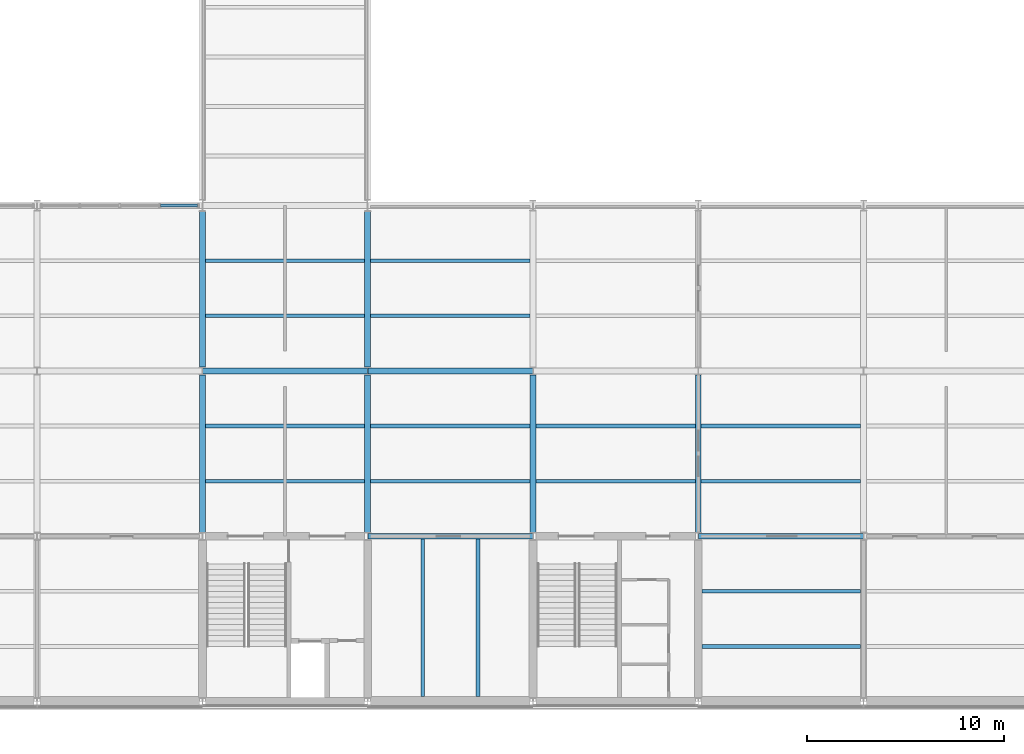
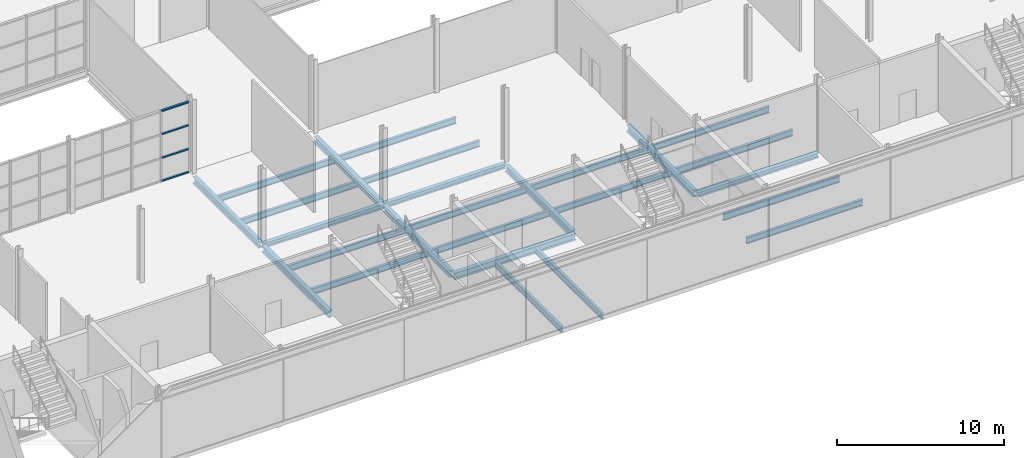
# One storey, part 11 of 57: 26 beams, 4 members, 1 element without a shape of its own.
"""IFC4 building model written with IfcOpenShell, lengths in metres."""

from ifc_helpers import new_model, si_unit, direction, frame, origin, origin_2d, place, context, subcontext, project, spatial, hollow_rectangle, i_section, extrude, material, layer, layer_set, material_profile, profile_set, type_object, element, aggregate, save


model = new_model("IFC4")

# Units and contexts
model_context = context("Model", 3, precision=1e-05, world=origin(), true_north=direction((0.0, 1.0)))
body_context = subcontext(model_context, "Body", "Model", "MODEL_VIEW")
ifc_project = project(units=[si_unit("LENGTHUNIT", "METRE"), si_unit("AREAUNIT", "SQUARE_METRE"), si_unit("VOLUMEUNIT", "CUBIC_METRE"), si_unit("PLANEANGLEUNIT", "RADIAN"), si_unit("MASSUNIT", "GRAM", prefix="KILO")], contexts=[model_context])

# Site, building, storey
site_placement = place(None, origin())
site = spatial("IfcSite", under=ifc_project, at=site_placement, CompositionType="ELEMENT")
building_placement = place(site_placement, origin())
building = spatial("IfcBuilding", under=site, at=building_placement, Name="Galleria Vessillo Department Store", CompositionType="ELEMENT")
storey_placement = place(building_placement, frame((0.0, 0.0, 25.800048828125)))
storey = spatial("IfcBuildingStorey", under=building, at=storey_placement, Name="L05", CompositionType="ELEMENT", Elevation=25.800048828125)

# Beams
ifc_material_1 = material(Name="Steel S355 J2", Category="steel")
ifc_material_profile_1 = material_profile(ifc_material_1, i_section(OverallWidth=0.300048828125, OverallDepth=0.489990234375, WebThickness=0.011962890625, FlangeThickness=0.02294921875, FilletRadius=0.027099609375, at=origin_2d()), Name="HEA 500")
ifc_profile_set_1 = profile_set([ifc_material_profile_1], Name="Steel S355 J2")
beam_type_1 = type_object("IfcBeamType", Name="Floor girder HEA 500", PredefinedType="BEAM", material=ifc_profile_set_1)
beam_1_placement = place(storey_placement, frame((42.0068359375, 8.39990234375, -0.39501953125), z_axis=(1.0, 0.0, 0.0), x_axis=(0.0, 1.0, 0.0)))
element("IfcBeam", 1, at=beam_1_placement, inside=storey, type_object=beam_type_1, Name="S-BM-L05-GI-x8400-42007", PredefinedType="BEAM", context=body_context, shape_type="SweptSolid", body=[
    extrude(i_section(OverallWidth=0.300048828125, OverallDepth=0.489990234375, WebThickness=0.011962890625, FlangeThickness=0.02294921875, FilletRadius=0.027099609375, at=origin_2d()), origin(), (0.0, 0.0, 1.0), 8.38623046875),
])
beam_2_placement = place(storey_placement, frame((33.60009765625, 8.60009765625, -0.39501953125), z_axis=(0.0, 1.0, 0.0), x_axis=(-1.0, 0.0, 0.0)))
element("IfcBeam", 2, at=beam_2_placement, inside=storey, type_object=beam_type_1, Name="S-BM-L05-GI-y33600-8600", PredefinedType="BEAM", context=body_context, shape_type="SweptSolid", body=[
    extrude(i_section(OverallWidth=0.300048828125, OverallDepth=0.489990234375, WebThickness=0.011962890625, FlangeThickness=0.02294921875, FilletRadius=0.027099609375, at=origin_2d()), origin(), (0.0, 0.0, 1.0), 7.999755859375),
])
beam_3_placement = place(storey_placement, frame((33.60009765625, 17.000244140625, -0.39501953125), z_axis=(0.0, 1.0, 0.0), x_axis=(-1.0, 0.0, 0.0)))
element("IfcBeam", 3, at=beam_3_placement, inside=storey, type_object=beam_type_1, Name="S-BM-L05-GI-y33600-17000", PredefinedType="BEAM", context=body_context, shape_type="SweptSolid", body=[
    extrude(i_section(OverallWidth=0.300048828125, OverallDepth=0.489990234375, WebThickness=0.011962890625, FlangeThickness=0.02294921875, FilletRadius=0.027099609375, at=origin_2d()), origin(), (0.0, 0.0, 1.0), 7.8896484375),
])
beam_4_placement = place(storey_placement, frame((42.0, 8.60009765625, -0.39501953125), z_axis=(0.0, 1.0, 0.0), x_axis=(-1.0, 0.0, 0.0)))
element("IfcBeam", 4, at=beam_4_placement, inside=storey, type_object=beam_type_1, Name="S-BM-L05-GI-y42000-8600", PredefinedType="BEAM", context=body_context, shape_type="SweptSolid", body=[
    extrude(i_section(OverallWidth=0.300048828125, OverallDepth=0.489990234375, WebThickness=0.011962890625, FlangeThickness=0.02294921875, FilletRadius=0.027099609375, at=origin_2d()), origin(), (0.0, 0.0, 1.0), 7.999755859375),
])
beam_5_placement = place(storey_placement, frame((42.0, 17.000244140625, -0.39501953125), z_axis=(0.0, 1.0, 0.0), x_axis=(-1.0, 0.0, 0.0)))
element("IfcBeam", 5, at=beam_5_placement, inside=storey, type_object=beam_type_1, Name="S-BM-L05-GI-y42000-17000", PredefinedType="BEAM", context=body_context, shape_type="SweptSolid", body=[
    extrude(i_section(OverallWidth=0.300048828125, OverallDepth=0.489990234375, WebThickness=0.011962890625, FlangeThickness=0.02294921875, FilletRadius=0.027099609375, at=origin_2d()), origin(), (0.0, 0.0, 1.0), 7.8896484375),
])
for number, where, z_axis, x_axis, name in (
    (6, (50.39990234375, 8.60009765625, -0.39501953125), (0.0, 1.0, 0.0), (-1.0, 0.0, 0.0), "S-BM-L05-GI-y50400-8600"),
    (7, (58.800048828125, 8.60009765625, -0.39501953125), (0.0, 1.0, 0.0), (-1.0, 0.0, 0.0), "S-BM-L05-GI-y58800-8600"),
):
    element("IfcBeam", number, at=place(storey_placement, frame(where, z_axis=z_axis, x_axis=x_axis)), inside=storey, type_object=beam_type_1, Name=name, PredefinedType="BEAM", context=body_context, shape_type="SweptSolid", body=[
        extrude(i_section(OverallWidth=0.300048828125, OverallDepth=0.489990234375, WebThickness=0.011962890625, FlangeThickness=0.02294921875, FilletRadius=0.027099609375, at=origin_2d()), origin(), (0.0, 0.0, 1.0), 7.999755859375),
    ])
ifc_material_2 = material(Name="Steel S355 J2", Category="steel")
ifc_material_profile_2 = material_profile(ifc_material_2, i_section(OverallWidth=0.18994140625, OverallDepth=0.449951171875, WebThickness=0.009521484375, FlangeThickness=0.0146484375, FilletRadius=0.02099609375, at=origin_2d()), Name="IPE 450")
ifc_profile_set_2 = profile_set([ifc_material_profile_2], Name="Steel S355 J2")
beam_type_2 = type_object("IfcBeamType", Name="Floor joist IPE 450", PredefinedType="JOIST", material=ifc_profile_set_2)
for number, where, z_axis, x_axis, name in (
    (8, (33.750244140625, 11.199951171875, -0.375), (1.0, 0.0, 0.0), (0.0, 1.0, 0.0), "S-BM-L05-JO-x11200-33750"),
    (9, (33.750244140625, 14.0, -0.375), (1.0, 0.0, 0.0), (0.0, 1.0, 0.0), "S-BM-L05-JO-x14000-33750"),
    (10, (33.750244140625, 19.60009765625, -0.375), (1.0, 0.0, 0.0), (0.0, 1.0, 0.0), "S-BM-L05-JO-x19600-33750"),
    (11, (33.750244140625, 22.39990234375, -0.375), (1.0, 0.0, 0.0), (0.0, 1.0, 0.0), "S-BM-L05-JO-x22400-33750"),
):
    element("IfcBeam", number, at=place(storey_placement, frame(where, z_axis=z_axis, x_axis=x_axis)), inside=storey, type_object=beam_type_2, Name=name, PredefinedType="JOIST", context=body_context, shape_type="SweptSolid", body=[
        extrude(i_section(OverallWidth=0.18994140625, OverallDepth=0.449951171875, WebThickness=0.009521484375, FlangeThickness=0.0146484375, FilletRadius=0.02099609375, at=origin_2d()), origin(), (0.0, 0.0, 1.0), 8.099609375),
    ])
for number, where, z_axis, x_axis, name in (
    (12, (44.800048828125, 0.250244140625, -0.375), (0.0, 1.0, 0.0), (-1.0, 0.0, 0.0), "S-BM-L05-JO-y44800-250"),
    (13, (47.60009765625, 0.250244140625, -0.375), (0.0, 1.0, 0.0), (-1.0, 0.0, 0.0), "S-BM-L05-JO-y47600-250"),
):
    element("IfcBeam", number, at=place(storey_placement, frame(where, z_axis=z_axis, x_axis=x_axis)), inside=storey, type_object=beam_type_2, Name=name, PredefinedType="JOIST", context=body_context, shape_type="SweptSolid", body=[
        extrude(i_section(OverallWidth=0.18994140625, OverallDepth=0.449951171875, WebThickness=0.009521484375, FlangeThickness=0.0146484375, FilletRadius=0.02099609375, at=origin_2d()), origin(), (0.0, 0.0, 1.0), 7.99951171875),
    ])
for number, where, z_axis, x_axis, name in (
    (14, (42.150146484375, 11.199951171875, -0.375), (1.0, 0.0, 0.0), (0.0, 1.0, 0.0), "S-BM-L05-JO-x11200-42150"),
    (15, (42.150146484375, 14.0, -0.375), (1.0, 0.0, 0.0), (0.0, 1.0, 0.0), "S-BM-L05-JO-x14000-42150"),
    (16, (42.150146484375, 19.60009765625, -0.375), (1.0, 0.0, 0.0), (0.0, 1.0, 0.0), "S-BM-L05-JO-x19600-42150"),
    (17, (42.150146484375, 22.39990234375, -0.375), (1.0, 0.0, 0.0), (0.0, 1.0, 0.0), "S-BM-L05-JO-x22400-42150"),
):
    element("IfcBeam", number, at=place(storey_placement, frame(where, z_axis=z_axis, x_axis=x_axis)), inside=storey, type_object=beam_type_2, Name=name, PredefinedType="JOIST", context=body_context, shape_type="SweptSolid", body=[
        extrude(i_section(OverallWidth=0.18994140625, OverallDepth=0.449951171875, WebThickness=0.009521484375, FlangeThickness=0.0146484375, FilletRadius=0.02099609375, at=origin_2d()), origin(), (0.0, 0.0, 1.0), 8.099609375),
    ])
for number, where, z_axis, x_axis, name in (
    (18, (50.550048828125, 11.199951171875, -0.375), (1.0, 0.0, 0.0), (0.0, 1.0, 0.0), "S-BM-L05-JO-x11200-50550"),
    (19, (50.550048828125, 14.0, -0.375), (1.0, 0.0, 0.0), (0.0, 1.0, 0.0), "S-BM-L05-JO-x14000-50550"),
):
    element("IfcBeam", number, at=place(storey_placement, frame(where, z_axis=z_axis, x_axis=x_axis)), inside=storey, type_object=beam_type_2, Name=name, PredefinedType="JOIST", context=body_context, shape_type="SweptSolid", body=[
        extrude(i_section(OverallWidth=0.18994140625, OverallDepth=0.449951171875, WebThickness=0.009521484375, FlangeThickness=0.0146484375, FilletRadius=0.02099609375, at=origin_2d()), origin(), (0.0, 0.0, 1.0), 8.099853515625),
    ])
for number, where, z_axis, x_axis, name in (
    (20, (59.000244140625, 2.800048828125, -0.375), (1.0, 0.0, 0.0), (0.0, 1.0, 0.0), "S-BM-L05-JO-x2800-59000"),
    (21, (59.000244140625, 5.60009765625, -0.375), (1.0, 0.0, 0.0), (0.0, 1.0, 0.0), "S-BM-L05-JO-x5600-59000"),
):
    element("IfcBeam", number, at=place(storey_placement, frame(where, z_axis=z_axis, x_axis=x_axis)), inside=storey, type_object=beam_type_2, Name=name, PredefinedType="JOIST", context=body_context, shape_type="SweptSolid", body=[
        extrude(i_section(OverallWidth=0.18994140625, OverallDepth=0.449951171875, WebThickness=0.009521484375, FlangeThickness=0.0146484375, FilletRadius=0.02099609375, at=origin_2d()), origin(), (0.0, 0.0, 1.0), 8.049560546875),
    ])
for number, where, z_axis, x_axis, name in (
    (22, (58.9501953125, 11.199951171875, -0.375), (1.0, 0.0, 0.0), (0.0, 1.0, 0.0), "S-BM-L05-JO-x11200-58950"),
    (23, (58.9501953125, 14.0, -0.375), (1.0, 0.0, 0.0), (0.0, 1.0, 0.0), "S-BM-L05-JO-x14000-58950"),
):
    element("IfcBeam", number, at=place(storey_placement, frame(where, z_axis=z_axis, x_axis=x_axis)), inside=storey, type_object=beam_type_2, Name=name, PredefinedType="JOIST", context=body_context, shape_type="SweptSolid", body=[
        extrude(i_section(OverallWidth=0.18994140625, OverallDepth=0.449951171875, WebThickness=0.009521484375, FlangeThickness=0.0146484375, FilletRadius=0.02099609375, at=origin_2d()), origin(), (0.0, 0.0, 1.0), 8.099609375),
    ])
ifc_material_3 = material(Name="Steel S355 J2", Category="steel")
ifc_material_profile_3 = material_profile(ifc_material_3, i_section(OverallWidth=0.300048828125, OverallDepth=0.35009765625, WebThickness=0.010009765625, FlangeThickness=0.017578125, FilletRadius=0.027099609375, at=origin_2d()), Name="HEA 360")
ifc_profile_set_3 = profile_set([ifc_material_profile_3], Name="Steel S355 J2")
beam_type_3 = type_object("IfcBeamType", Name="Floor tie girder HEA 360", PredefinedType="BEAM", material=ifc_profile_set_3)
for number, where, z_axis, x_axis, name in (
    (24, (58.806884765625, 8.39990234375, -0.324951171875), (1.0, 0.0, 0.0), (0.0, 1.0, 0.0), "S-BM-L05-TI-x8400-58807"),
    (25, (33.60693359375, 16.800048828125, -0.324951171875), (1.0, 0.0, 0.0), (0.0, 1.0, 0.0), "S-BM-L05-TI-x16800-33607"),
    (26, (42.0068359375, 16.800048828125, -0.324951171875), (1.0, 0.0, 0.0), (0.0, 1.0, 0.0), "S-BM-L05-TI-x16800-42007"),
):
    element("IfcBeam", number, at=place(storey_placement, frame(where, z_axis=z_axis, x_axis=x_axis)), inside=storey, type_object=beam_type_3, Name=name, PredefinedType="BEAM", context=body_context, shape_type="SweptSolid", body=[
        extrude(i_section(OverallWidth=0.300048828125, OverallDepth=0.35009765625, WebThickness=0.010009765625, FlangeThickness=0.017578125, FilletRadius=0.027099609375, at=origin_2d()), origin(), (0.0, 0.0, 1.0), 8.38623046875),
    ])

# Curtain wall, members
ifc_material_4 = material(Name="Steel and fire-resisting glass curtain wall", Category="steel")
ifc_layer = layer(ifc_material_4, 0.199951171875)
ifc_layer_set = layer_set([ifc_layer], Name="Steel and fire-resisting glass curtain wall")
curtain_wall_type = type_object("IfcCurtainWallType", Name="Arcade fire-resisting glazed shopfront EI 120-Sa", PredefinedType="NOTDEFINED", material=ifc_layer_set)
curtain_wall_placement = place(storey_placement, origin())
curtain_wall = element("IfcCurtainWall", 27, at=curtain_wall_placement, inside=storey, type_object=curtain_wall_type, Name="Arcade fire-resisting glazed shopfront EI 120-Sa AI-AW-S-L05-02", PredefinedType="NOTDEFINED")
ifc_material_5 = material(Name="Steel S355 J2", Category="steel")
ifc_material_profile_4 = material_profile(ifc_material_5, hollow_rectangle(XDim=0.14990234375, YDim=0.10009765625, WallThickness=0.008056640625, at=origin_2d()), Name="RHS 150x100x8")
ifc_profile_set_4 = profile_set([ifc_material_profile_4], Name="Steel S355 J2")
member_type = type_object("IfcMemberType", Name="Steel transom RHS 150x100x8", PredefinedType="USERDEFINED", material=ifc_profile_set_4)
member_1_placement = place(storey_placement, frame((31.473876953125, 25.199951171875, 0.050048828125), z_axis=(1.0, 0.0, 0.0), x_axis=(0.0, 1.0, 0.0)))
member_1 = element("IfcMember", 28, at=member_1_placement, type_object=member_type, Name="CW7 transom 4.1", ObjectType="TRANSOM", PredefinedType="USERDEFINED", context=body_context, shape_type="SweptSolid", body=[
    extrude(hollow_rectangle(XDim=0.14990234375, YDim=0.10009765625, WallThickness=0.008056640625, at=origin_2d()), origin(), (0.0, 0.0, 1.0), 1.87353515625),
])
member_2_placement = place(storey_placement, frame((31.473876953125, 25.199951171875, 1.7333984375), z_axis=(1.0, 0.0, 0.0), x_axis=(0.0, 1.0, 0.0)))
member_2 = element("IfcMember", 29, at=member_2_placement, type_object=member_type, Name="CW7 transom 4.2", ObjectType="TRANSOM", PredefinedType="USERDEFINED", context=body_context, shape_type="SweptSolid", body=[
    extrude(hollow_rectangle(XDim=0.14990234375, YDim=0.10009765625, WallThickness=0.008056640625, at=origin_2d()), origin(), (0.0, 0.0, 1.0), 1.87353515625),
])
member_3_placement = place(storey_placement, frame((31.473876953125, 25.199951171875, 3.466552734375), z_axis=(1.0, 0.0, 0.0), x_axis=(0.0, 1.0, 0.0)))
member_3 = element("IfcMember", 30, at=member_3_placement, type_object=member_type, Name="CW7 transom 4.3", ObjectType="TRANSOM", PredefinedType="USERDEFINED", context=body_context, shape_type="SweptSolid", body=[
    extrude(hollow_rectangle(XDim=0.14990234375, YDim=0.10009765625, WallThickness=0.008056640625, at=origin_2d()), origin(), (0.0, 0.0, 1.0), 1.87353515625),
])
member_4_placement = place(storey_placement, frame((31.473876953125, 25.199951171875, 5.14990234375), z_axis=(1.0, 0.0, 0.0), x_axis=(0.0, 1.0, 0.0)))
member_4 = element("IfcMember", 31, at=member_4_placement, type_object=member_type, Name="CW7 transom 4.4", ObjectType="TRANSOM", PredefinedType="USERDEFINED", context=body_context, shape_type="SweptSolid", body=[
    extrude(hollow_rectangle(XDim=0.14990234375, YDim=0.10009765625, WallThickness=0.008056640625, at=origin_2d()), origin(), (0.0, 0.0, 1.0), 1.87353515625),
])
aggregate(curtain_wall, [member_1, member_2, member_3, member_4])

save(model, "model.ifc")
